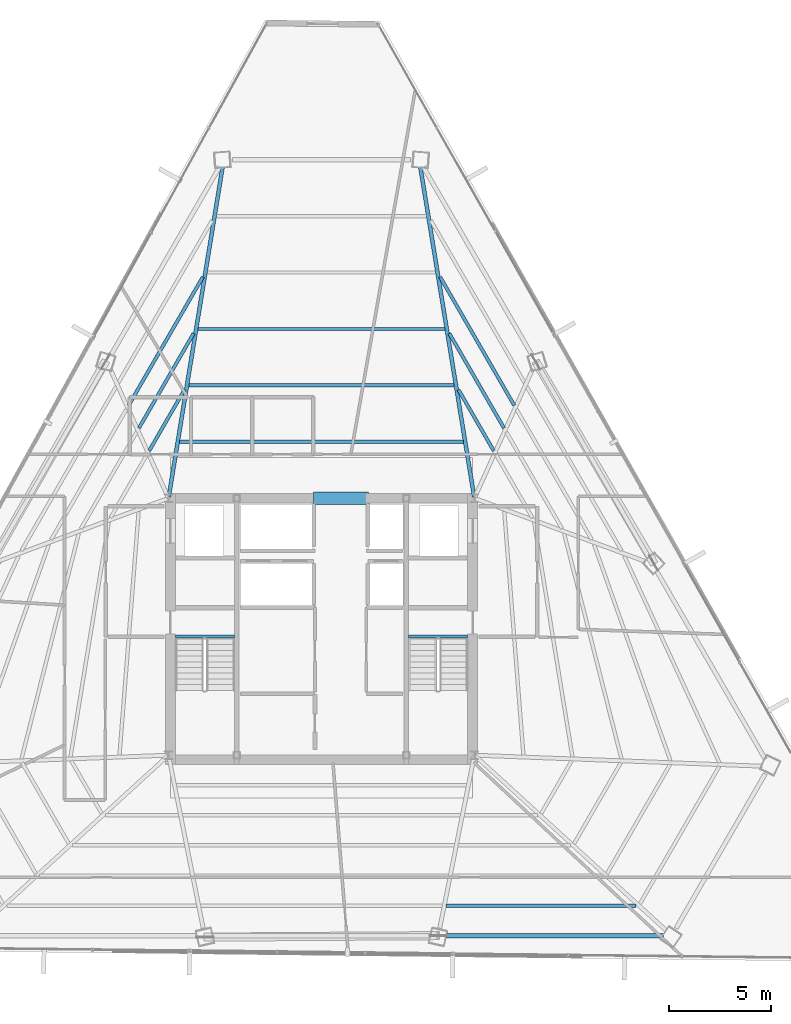
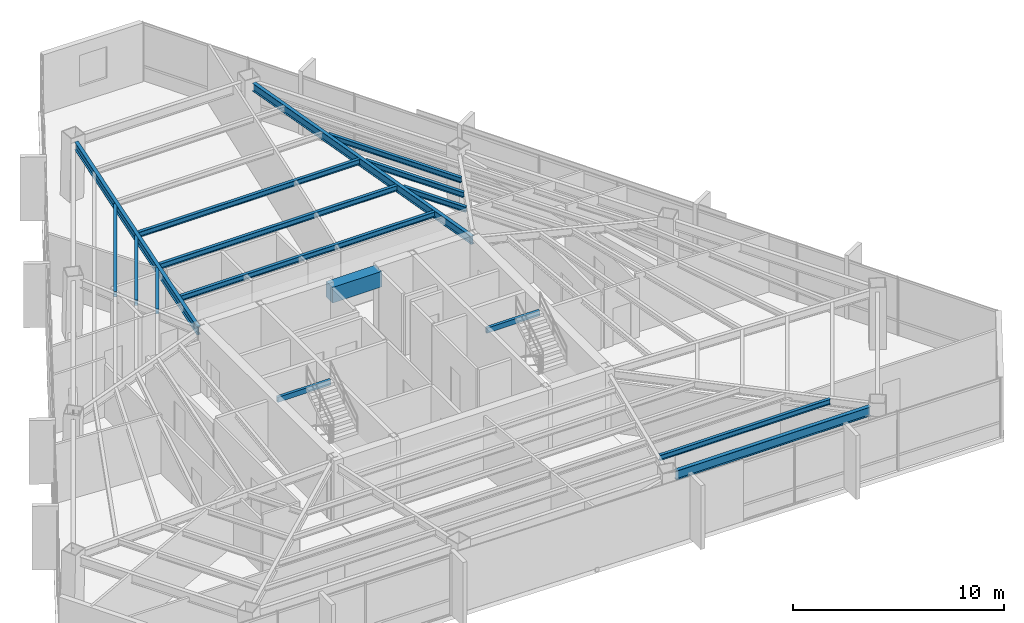
# One storey, part 17 of 40: 16 beams.
"""IFC4 building model written with IfcOpenShell, lengths in metres."""

import ifcopenshell
import ifcopenshell.guid

model = None  # the IFC model being written
_history = None  # IfcOwnerHistory: only IFC2X3 demands one
_inside = {}  # id of a spatial element -> (the spatial element, [elements in it])
_under = {}  # id of a project, library or spatial element -> (it, [spatial elements below it])
_declared = {}  # id of a project -> (the project, [libraries it declares])
_typed = {}  # id of a type object -> (the type object, [elements of that type])
_made_of = {}  # id of a material, layer set ... -> (it, [elements and type objects made of it])


def new_model(schema):
    """Start an empty IFC model of exactly this schema.

    Asked for "IFC4X3", IfcOpenShell would pick the latest addendum, in which some entities
    have other attributes; the version numbers below select the first issue.
    IFC2X3 requires an IfcOwnerHistory on every rooted entity: one is made here for all.
    """
    global model, _history
    if schema == "IFC4X3":
        model = ifcopenshell.file(schema_version=(4, 3, 0, 0))
    else:
        model = ifcopenshell.file(schema=schema)
    _inside.clear()
    _under.clear()
    _declared.clear()
    _typed.clear()
    _made_of.clear()
    _history = None
    if model.schema == "IFC2X3":
        org = make("IfcOrganization", Name="unknown")
        user = make(
            "IfcPersonAndOrganization",
            ThePerson=make("IfcPerson", FamilyName="unknown"),
            TheOrganization=org,
        )
        app = make(
            "IfcApplication",
            ApplicationDeveloper=org,
            Version="unknown",
            ApplicationFullName="unknown",
            ApplicationIdentifier="unknown",
        )
        _history = make(
            "IfcOwnerHistory",
            OwningUser=user,
            OwningApplication=app,
            ChangeAction="ADDED",
            CreationDate=0,
        )
    return model


def make(cls, **values):
    """One entity of the class cls with the attributes given. An attribute that is None is left unset."""
    return model.create_entity(
        cls, **{name: value for name, value in values.items() if value is not None}
    )


def rooted(cls, **values):
    """An entity with a GlobalId (a new one), such as an element, a storey or a relation."""
    return make(cls, GlobalId=ifcopenshell.guid.new(), OwnerHistory=_history, **values)


def si_unit(unit_type, name, prefix=None):
    """IfcSIUnit, for example si_unit("LENGTHUNIT", "METRE", prefix="MILLI")."""
    return make("IfcSIUnit", UnitType=unit_type, Prefix=prefix, Name=name)


def assignment(units):
    """IfcUnitAssignment: the units of a project."""
    return None if units is None else make("IfcUnitAssignment", Units=units)


def point(xyz):
    """IfcCartesianPoint."""
    return None if xyz is None else make("IfcCartesianPoint", Coordinates=xyz)


def direction(xyz):
    """IfcDirection."""
    return None if xyz is None else make("IfcDirection", DirectionRatios=xyz)


def frame(location, z_axis=None, x_axis=None):
    """IfcAxis2Placement3D, a coordinate frame: its origin and axes. An axis left out is left unset."""
    return make(
        "IfcAxis2Placement3D",
        Location=point(location),
        Axis=direction(z_axis),
        RefDirection=direction(x_axis),
    )


def frame_2d(location, x_axis=None):
    """IfcAxis2Placement2D, a coordinate frame in the plane: its origin and x axis."""
    return make(
        "IfcAxis2Placement2D", Location=point(location), RefDirection=direction(x_axis)
    )


def origin():
    """The frame at (0, 0, 0) with its axes left unset."""
    return frame((0.0, 0.0, 0.0))


def origin_2d():
    """The frame at (0, 0) in the plane with its x axis left unset."""
    return frame_2d((0.0, 0.0))


def place(relative_to, where):
    """IfcLocalPlacement: puts the frame where relative to a parent placement (None: the world)."""
    return make(
        "IfcLocalPlacement", PlacementRelTo=relative_to, RelativePlacement=where
    )


def context(
    kind, dimensions, precision=None, world=None, true_north=None, identifier=None
):
    """IfcGeometricRepresentationContext, for example the 3D "Model" context."""
    return make(
        "IfcGeometricRepresentationContext",
        ContextIdentifier=identifier,
        ContextType=kind,
        CoordinateSpaceDimension=dimensions,
        Precision=precision,
        WorldCoordinateSystem=world,
        TrueNorth=true_north,
    )


def subcontext(parent, identifier, kind, view, scale=None):
    """IfcGeometricRepresentationSubContext, for example "Body" below "Model"."""
    return make(
        "IfcGeometricRepresentationSubContext",
        ContextIdentifier=identifier,
        ContextType=kind,
        ParentContext=parent,
        TargetScale=scale,
        TargetView=view,
    )


def project(units=None, contexts=None):
    """IfcProject with its units and contexts."""
    return rooted(
        "IfcProject",
        Name="project",
        RepresentationContexts=contexts,
        UnitsInContext=assignment(units),
    )


def spatial(cls, under=None, at=None, **own):
    """A site, building, storey or space (cls), placed at a placement, below another one or the project."""
    s = rooted(cls, ObjectPlacement=at, **own)
    if under is not None:
        _under.setdefault(under.id(), (under, []))[1].append(s)
    return s


def profile(cls, at=None, kind="AREA", **sizes):
    """A parametric profile (cls). Its sizes go by their IFC names, for example OverallWidth=200.0."""
    return make(cls, ProfileType=kind, Position=at, **sizes)


def rectangle(**sizes):
    """IfcRectangleProfileDef."""
    return profile("IfcRectangleProfileDef", **sizes)


def hollow_rectangle(**sizes):
    """IfcRectangleHollowProfileDef."""
    return profile("IfcRectangleHollowProfileDef", **sizes)


def i_section(**sizes):
    """IfcIShapeProfileDef."""
    return profile("IfcIShapeProfileDef", **sizes)


def extrude(swept, where, along, depth):
    """IfcExtrudedAreaSolid: the profile swept, set in the frame where, extruded along a direction by depth."""
    return make(
        "IfcExtrudedAreaSolid",
        SweptArea=swept,
        Position=where,
        ExtrudedDirection=direction(along),
        Depth=depth,
    )


def shape(context_of_items, identifier, shape_type, items):
    """IfcShapeRepresentation: the items that make up one representation, for example the "Body"."""
    return make(
        "IfcShapeRepresentation",
        ContextOfItems=context_of_items,
        RepresentationIdentifier=identifier,
        RepresentationType=shape_type,
        Items=items,
    )


def source(mapping_origin, context_of_items, identifier, shape_type, items):
    """IfcRepresentationMap: a shape defined once, which mapped items show again and again."""
    return make(
        "IfcRepresentationMap",
        MappingOrigin=mapping_origin,
        MappedRepresentation=shape(context_of_items, identifier, shape_type, items),
    )


def transform(
    local_origin,
    x_axis=None,
    y_axis=None,
    z_axis=None,
    scale=None,
    scale2=None,
    scale3=None,
    uniform=True,
):
    """IfcCartesianTransformationOperator3D, or its non-uniform kind. x_axis, y_axis, z_axis: its Axis1, 2, 3."""
    if uniform:
        return make(
            "IfcCartesianTransformationOperator3D",
            Axis1=direction(x_axis),
            Axis2=direction(y_axis),
            LocalOrigin=point(local_origin),
            Scale=scale,
            Axis3=direction(z_axis),
        )
    return make(
        "IfcCartesianTransformationOperator3DnonUniform",
        Axis1=direction(x_axis),
        Axis2=direction(y_axis),
        LocalOrigin=point(local_origin),
        Scale=scale,
        Axis3=direction(z_axis),
        Scale2=scale2,
        Scale3=scale3,
    )


def mapped(mapping_source, mapping_target):
    """IfcMappedItem: shows the shape of a source again, moved by a transform."""
    return make(
        "IfcMappedItem", MappingSource=mapping_source, MappingTarget=mapping_target
    )


def material(Name=None, Category=None):
    """IfcMaterial."""
    return make("IfcMaterial", Name=Name, Category=Category)


def material_profile(
    of_material, cross_section, Name=None, Category=None, Priority=None
):
    """IfcMaterialProfile: a cross section and its material."""
    return make(
        "IfcMaterialProfile",
        Name=Name,
        Material=of_material,
        Profile=cross_section,
        Priority=Priority,
        Category=Category,
    )


def profile_set(profiles, Name=None, composite=None):
    """IfcMaterialProfileSet."""
    return make(
        "IfcMaterialProfileSet",
        Name=Name,
        MaterialProfiles=profiles,
        CompositeProfile=composite,
    )


def made_of(thing, what):
    """Note that an element or type object is made of a material, layer set ...; save() writes the relation."""
    if what is not None:
        _made_of.setdefault(what.id(), (what, []))[1].append(thing)
    return thing


def type_object(cls, material=None, **own):
    """A type object (cls), such as IfcWallType, which elements share."""
    return made_of(rooted(cls, **own), material)


def type_shapes(of_type, sources):
    """Give a type object the sources (RepresentationMaps) that its elements show as mapped items."""
    of_type.RepresentationMaps = sources


def element(
    cls,
    number,
    at=None,
    inside=None,
    cuts=None,
    type_object=None,
    material=None,
    context=None,
    identifier="Body",
    shape_type=None,
    held_by="IfcProductDefinitionShape",
    body=None,
    shapes=None,
    **own,
):
    """One element of the class cls, such as IfcWall. Its Tag is "e" and its number.

    at: its placement. inside: the storey or other place that contains it. cuts: it is an
    opening in that element (IfcRelVoidsElement). A single representation is given by context,
    identifier, shape_type and body (its items); several are given by shapes. held_by: the class
    of the entity that holds the representations. save() writes the other relations.
    """
    e = rooted(cls, Tag="e%d" % number, ObjectPlacement=at, **own)
    if body is not None:
        shapes = [shape(context, identifier, shape_type, body)]
    if shapes is not None:
        e.Representation = make(held_by, Representations=shapes)
    if inside is not None:
        _inside.setdefault(inside.id(), (inside, []))[1].append(e)
    if cuts is not None:
        rooted(
            "IfcRelVoidsElement", RelatingBuildingElement=cuts, RelatedOpeningElement=e
        )
    if type_object is not None:
        _typed.setdefault(type_object.id(), (type_object, []))[1].append(e)
    return made_of(e, material)


def aggregate(whole, parts):
    """IfcRelAggregates: a whole, such as a stair, and the parts it consists of."""
    return rooted("IfcRelAggregates", RelatingObject=whole, RelatedObjects=parts)


def save(model, path):
    """Write the relations noted so far, then the file.

    IfcRelAggregates (storeys below a building ...), IfcRelContainedInSpatialStructure (elements
    in a storey), IfcRelDefinesByType, IfcRelAssociatesMaterial and IfcRelDeclares: one each for
    every whole, place, type object, material and project.
    """
    for whole, parts in _under.values():
        aggregate(whole, parts)
    for where, things in _inside.values():
        rooted(
            "IfcRelContainedInSpatialStructure",
            RelatedElements=things,
            RelatingStructure=where,
        )
    for kind, things in _typed.values():
        rooted("IfcRelDefinesByType", RelatedObjects=things, RelatingType=kind)
    for what, things in _made_of.values():
        rooted("IfcRelAssociatesMaterial", RelatedObjects=things, RelatingMaterial=what)
    for by, libraries in _declared.values():
        rooted("IfcRelDeclares", RelatingContext=by, RelatedDefinitions=libraries)
    model.write(path)


model = new_model("IFC4")

# Units and contexts
model_context = context("Model", 3, precision=1e-05, world=origin(), true_north=direction((0.0, 1.0)))
body_context = subcontext(model_context, "Body", "Model", "MODEL_VIEW")
ifc_project = project(units=[si_unit("LENGTHUNIT", "METRE"), si_unit("AREAUNIT", "SQUARE_METRE"), si_unit("VOLUMEUNIT", "CUBIC_METRE"), si_unit("PLANEANGLEUNIT", "RADIAN"), si_unit("MASSUNIT", "GRAM", prefix="KILO")], contexts=[model_context])

# Site, building, storey
site_placement = place(None, origin())
site = spatial("IfcSite", under=ifc_project, at=site_placement, CompositionType="ELEMENT")
building_placement = place(site_placement, origin())
building = spatial("IfcBuilding", under=site, at=building_placement, Name="Caelisora Broadcast Tower", CompositionType="ELEMENT")
storey_placement = place(building_placement, frame((0.0, 0.0, 213.25)))
storey = spatial("IfcBuildingStorey", under=building, at=storey_placement, Name="L56", CompositionType="ELEMENT", Elevation=213.25)

# Beams
ifc_material_1 = material(Name="Steel Grade 350 (AS/NZS 1163 C350L0)", Category="steel")
ifc_material_profile_1 = material_profile(ifc_material_1, hollow_rectangle(XDim=0.14990234375, YDim=0.300048828125, WallThickness=0.010009765625, at=origin_2d()), Name="Steel Grade 350 (AS/NZS 1163 C350L0)")
ifc_profile_set_1 = profile_set([ifc_material_profile_1], Name="Steel Grade 350 (AS/NZS 1163 C350L0)")
beam_type_1 = type_object("IfcBeamType", Name="SB05", PredefinedType="JOIST", material=ifc_profile_set_1)
shared_shape_1 = source(origin(), body_context, "Body", "SweptSolid", [
    extrude(hollow_rectangle(XDim=0.14990234375, YDim=0.300048828125, WallThickness=0.010009765625, at=origin_2d()), origin(), (0.0, 0.0, 1.0), 2.89990234375),
])
type_shapes(beam_type_1, [shared_shape_1])
for number, where, z_axis, x_axis, name in (
    (1, (30.840087890625, 23.219970703125, 3.25), (1.0, 0.0, 0.0), (0.0, 1.0, 0.0), "L56 beam SB05"),
    (2, (42.260009765625, 23.219970703125, 3.25), (1.0, 0.0, 0.0), (0.0, 1.0, 0.0), "L56 beam SB05"),
):
    element("IfcBeam", number, at=place(storey_placement, frame(where, z_axis=z_axis, x_axis=x_axis)), inside=storey, type_object=beam_type_1, Name=name, PredefinedType="JOIST", context=body_context, shape_type="MappedRepresentation", body=[
        mapped(shared_shape_1, transform((0.0, 0.0, 0.0), scale=1.0)),
    ])
ifc_material_2 = material(Name="Concrete 50 MPa (AS 3600 S50)", Category="concrete")
ifc_material_profile_2 = material_profile(ifc_material_2, rectangle(XDim=0.60009765625, YDim=0.89990234375, at=origin_2d()), Name="Concrete 50 MPa (AS 3600 S50)")
ifc_profile_set_2 = profile_set([ifc_material_profile_2], Name="Concrete 50 MPa (AS 3600 S50)")
beam_type_2 = type_object("IfcBeamType", Name="CB02", PredefinedType="LINTEL", material=ifc_profile_set_2)
shared_shape_2 = source(origin(), body_context, "Body", "SweptSolid", [
    extrude(rectangle(XDim=0.60009765625, YDim=0.89990234375, at=origin_2d()), origin(), (0.0, 0.0, 1.0), 2.699951171875),
])
type_shapes(beam_type_2, [shared_shape_2])
beam_1_placement = place(storey_placement, frame((37.60009765625, 30.0, 2.949951171875), z_axis=(1.0, 0.0, 0.0), x_axis=(0.0, 1.0, 0.0)))
element("IfcBeam", 3, at=beam_1_placement, inside=storey, type_object=beam_type_2, Name="L56 beam CB02", PredefinedType="LINTEL", context=body_context, shape_type="MappedRepresentation", body=[
    mapped(shared_shape_2, transform((0.0, 0.0, 0.0), scale=1.0)),
])
ifc_material_3 = material(Name="Steel Grade 350 (AS/NZS 3679.1)", Category="steel")
ifc_material_profile_3 = material_profile(ifc_material_3, i_section(OverallWidth=0.208984375, OverallDepth=0.532958984375, WebThickness=0.01025390625, FlangeThickness=0.015625, at=origin_2d()), Name="Steel Grade 350 (AS/NZS 3679.1)")
ifc_profile_set_3 = profile_set([ifc_material_profile_3], Name="Steel Grade 350 (AS/NZS 3679.1)")
beam_type_3 = type_object("IfcBeamType", Name="PG05", PredefinedType="BEAM", material=ifc_profile_set_3)
shared_shape_3 = source(origin(), body_context, "Body", "SweptSolid", [
    extrude(i_section(OverallWidth=0.208984375, OverallDepth=0.532958984375, WebThickness=0.01025390625, FlangeThickness=0.015625, at=origin_2d()), origin(), (0.0, 0.0, 1.0), 10.62255859375),
])
type_shapes(beam_type_3, [shared_shape_3])
beam_2_placement = place(storey_placement, frame((44.143310546875, 8.549560546875, 3.133544921875), z_axis=(1.0, 0.0, 0.0), x_axis=(0.0, 1.0, 0.0)))
element("IfcBeam", 4, at=beam_2_placement, inside=storey, type_object=beam_type_3, Name="L56 beam PG05", PredefinedType="BEAM", context=body_context, shape_type="MappedRepresentation", body=[
    mapped(shared_shape_3, transform((0.0, 0.0, 0.0), scale=1.0)),
])
ifc_material_profile_4 = material_profile(ifc_material_3, i_section(OverallWidth=0.19091796875, OverallDepth=0.46044921875, WebThickness=0.010009765625, FlangeThickness=0.01611328125, at=origin_2d()), Name="Steel Grade 350 (AS/NZS 3679.1)")
ifc_profile_set_4 = profile_set([ifc_material_profile_4], Name="Steel Grade 350 (AS/NZS 3679.1)")
beam_type_4 = type_object("IfcBeamType", Name="PG06", PredefinedType="BEAM", material=ifc_profile_set_4)
shared_shape_4 = source(origin(), body_context, "Body", "SweptSolid", [
    extrude(i_section(OverallWidth=0.19091796875, OverallDepth=0.46044921875, WebThickness=0.010009765625, FlangeThickness=0.01611328125, at=origin_2d()), origin(), (0.0, 0.0, 1.0), 16.38916015625),
])
type_shapes(beam_type_4, [shared_shape_4])
for number, where, z_axis, x_axis, name in (
    (5, (45.490234375, 30.05908203125, 3.169921875), (-0.161091034541, 0.98693955164, 0.0), (-0.98693955164, -0.161091034541, 0.0), "L56 beam PG06"),
    (6, (30.509765625, 30.05908203125, 3.169921875), (0.161091034541, 0.98693955164, 0.0), (-0.98693955164, 0.161091034541, 0.0), "L56 beam PG06"),
):
    element("IfcBeam", number, at=place(storey_placement, frame(where, z_axis=z_axis, x_axis=x_axis)), inside=storey, type_object=beam_type_4, Name=name, PredefinedType="BEAM", context=body_context, shape_type="MappedRepresentation", body=[
        mapped(shared_shape_4, transform((0.0, 0.0, 0.0), scale=1.0)),
    ])
ifc_material_profile_5 = material_profile(ifc_material_3, i_section(OverallWidth=0.166015625, OverallDepth=0.30712890625, WebThickness=0.006591796875, FlangeThickness=0.01171875, at=origin_2d()), Name="Steel Grade 350 (AS/NZS 3679.1)")
ifc_profile_set_5 = profile_set([ifc_material_profile_5], Name="Steel Grade 350 (AS/NZS 3679.1)")
beam_type_5 = type_object("IfcBeamType", Name="SB03", PredefinedType="JOIST", material=ifc_profile_set_5)
shared_shape_5 = source(origin(), body_context, "Body", "SweptSolid", [
    extrude(i_section(OverallWidth=0.166015625, OverallDepth=0.30712890625, WebThickness=0.006591796875, FlangeThickness=0.01171875, at=origin_2d()), origin(), (0.0, 0.0, 1.0), 13.9091796875),
])
beam_3_placement = place(storey_placement, frame((44.95458984375, 32.767578125, 3.246337890625), z_axis=(-1.0, 0.0, 0.0), x_axis=(0.0, -1.0, 0.0)))
element("IfcBeam", 7, at=beam_3_placement, inside=storey, type_object=beam_type_5, Name="L56 beam SB03", PredefinedType="JOIST", context=body_context, shape_type="MappedRepresentation", body=[
    mapped(shared_shape_5, transform((0.0, 0.0, 0.0), scale=1.0)),
])
shared_shape_6 = source(origin(), body_context, "Body", "SweptSolid", [
    extrude(i_section(OverallWidth=0.166015625, OverallDepth=0.30712890625, WebThickness=0.006591796875, FlangeThickness=0.01171875, at=origin_2d()), origin(), (0.0, 0.0, 1.0), 13.00537109375),
])
beam_4_placement = place(storey_placement, frame((44.502685546875, 35.53515625, 3.246337890625), z_axis=(-1.0, 0.0, 0.0), x_axis=(0.0, -1.0, 0.0)))
element("IfcBeam", 8, at=beam_4_placement, inside=storey, type_object=beam_type_5, Name="L56 beam SB03", PredefinedType="JOIST", context=body_context, shape_type="MappedRepresentation", body=[
    mapped(shared_shape_6, transform((0.0, 0.0, 0.0), scale=1.0)),
])
shared_shape_7 = source(origin(), body_context, "Body", "SweptSolid", [
    extrude(i_section(OverallWidth=0.166015625, OverallDepth=0.30712890625, WebThickness=0.006591796875, FlangeThickness=0.01171875, at=origin_2d()), origin(), (0.0, 0.0, 1.0), 12.10205078125),
])
beam_5_placement = place(storey_placement, frame((44.051025390625, 38.302490234375, 3.246337890625), z_axis=(-1.0, 0.0, 0.0), x_axis=(0.0, -1.0, 0.0)))
element("IfcBeam", 9, at=beam_5_placement, inside=storey, type_object=beam_type_5, Name="L56 beam SB03", PredefinedType="JOIST", context=body_context, shape_type="MappedRepresentation", body=[
    mapped(shared_shape_7, transform((0.0, 0.0, 0.0), scale=1.0)),
])
shared_shape_8 = source(origin(), body_context, "Body", "SweptSolid", [
    extrude(i_section(OverallWidth=0.166015625, OverallDepth=0.30712890625, WebThickness=0.006591796875, FlangeThickness=0.01171875, at=origin_2d()), origin(), (0.0, 0.0, 1.0), 3.455322265625),
])
for number, where, z_axis, x_axis, name in (
    (10, (31.279296875, 35.320068359375, 3.246337890625), (-0.49996914467, -0.866043217385, 0.0), (0.866043217385, -0.49996914467, 0.0), "L56 beam SB03"),
    (11, (46.4482421875, 32.32763671875, 3.246337890625), (-0.49996914467, 0.866043217385, 0.0), (-0.866043217385, -0.49996914467, 0.0), "L56 beam SB03"),
):
    element("IfcBeam", number, at=place(storey_placement, frame(where, z_axis=z_axis, x_axis=x_axis)), inside=storey, type_object=beam_type_5, Name=name, PredefinedType="JOIST", context=body_context, shape_type="MappedRepresentation", body=[
        mapped(shared_shape_8, transform((0.0, 0.0, 0.0), scale=1.0)),
    ])
shared_shape_9 = source(origin(), body_context, "Body", "SweptSolid", [
    extrude(i_section(OverallWidth=0.166015625, OverallDepth=0.30712890625, WebThickness=0.006591796875, FlangeThickness=0.01171875, at=origin_2d()), origin(), (0.0, 0.0, 1.0), 5.364501953125),
])
for number, where, z_axis, x_axis, name in (
    (12, (31.731201171875, 38.087646484375, 3.246337890625), (-0.500020538415, -0.8660135456, 0.0), (0.8660135456, -0.500020538415, 0.0), "L56 beam SB03"),
    (13, (46.951171875, 33.44189453125, 3.246337890625), (-0.500020538415, 0.8660135456, 0.0), (-0.8660135456, -0.500020538415, 0.0), "L56 beam SB03"),
):
    element("IfcBeam", number, at=place(storey_placement, frame(where, z_axis=z_axis, x_axis=x_axis)), inside=storey, type_object=beam_type_5, Name=name, PredefinedType="JOIST", context=body_context, shape_type="MappedRepresentation", body=[
        mapped(shared_shape_9, transform((0.0, 0.0, 0.0), scale=1.0)),
    ])
shared_shape_10 = source(origin(), body_context, "Body", "SweptSolid", [
    extrude(i_section(OverallWidth=0.166015625, OverallDepth=0.30712890625, WebThickness=0.006591796875, FlangeThickness=0.01171875, at=origin_2d()), origin(), (0.0, 0.0, 1.0), 7.273681640625),
])
for number, where, z_axis, x_axis, name in (
    (14, (32.182861328125, 40.85498046875, 3.246337890625), (-0.50001977908, -0.866013984026, 0.0), (0.866013984026, -0.50001977908, 0.0), "L56 beam SB03"),
    (15, (47.4541015625, 34.555908203125, 3.246337890625), (-0.50001977908, 0.866013984026, 0.0), (-0.866013984026, -0.50001977908, 0.0), "L56 beam SB03"),
):
    element("IfcBeam", number, at=place(storey_placement, frame(where, z_axis=z_axis, x_axis=x_axis)), inside=storey, type_object=beam_type_5, Name=name, PredefinedType="JOIST", context=body_context, shape_type="MappedRepresentation", body=[
        mapped(shared_shape_10, transform((0.0, 0.0, 0.0), scale=1.0)),
    ])
shared_shape_11 = source(origin(), body_context, "Body", "SweptSolid", [
    extrude(i_section(OverallWidth=0.166015625, OverallDepth=0.30712890625, WebThickness=0.006591796875, FlangeThickness=0.01171875, at=origin_2d()), origin(), (0.0, 0.0, 1.0), 9.3125),
])
type_shapes(beam_type_5, [shared_shape_5, shared_shape_6, shared_shape_7, shared_shape_8, shared_shape_9, shared_shape_10, shared_shape_11])
beam_6_placement = place(storey_placement, frame((44.1171875, 10.024658203125, 3.246337890625), z_axis=(1.0, 0.0, 0.0), x_axis=(0.0, 1.0, 0.0)))
element("IfcBeam", 16, at=beam_6_placement, inside=storey, type_object=beam_type_5, Name="L56 beam SB03", PredefinedType="JOIST", context=body_context, shape_type="MappedRepresentation", body=[
    mapped(shared_shape_11, transform((0.0, 0.0, 0.0), scale=1.0)),
])

save(model, "model.ifc")
